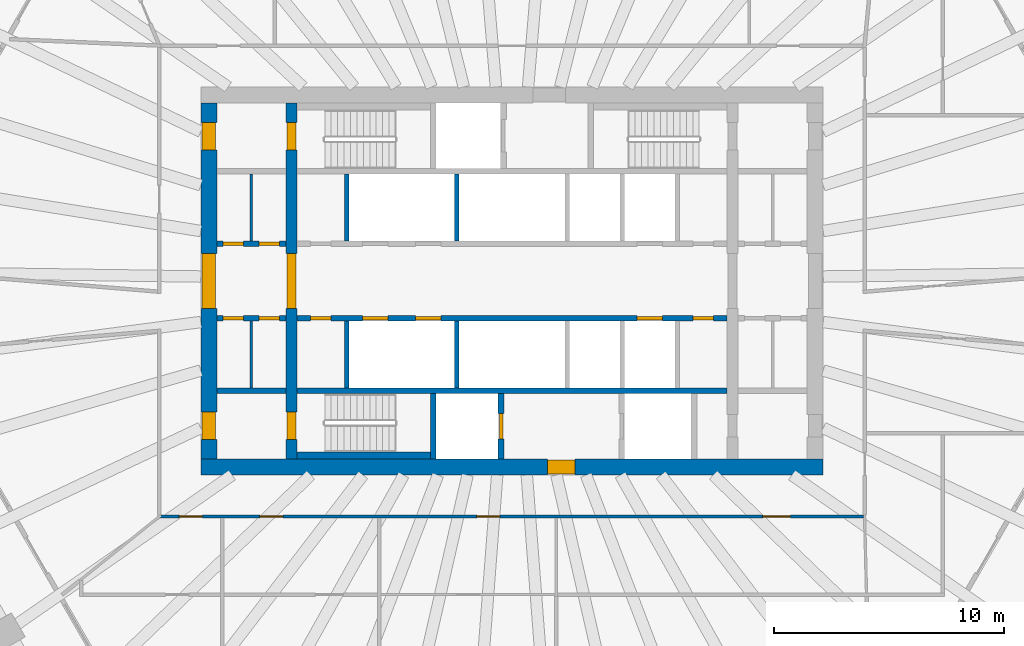
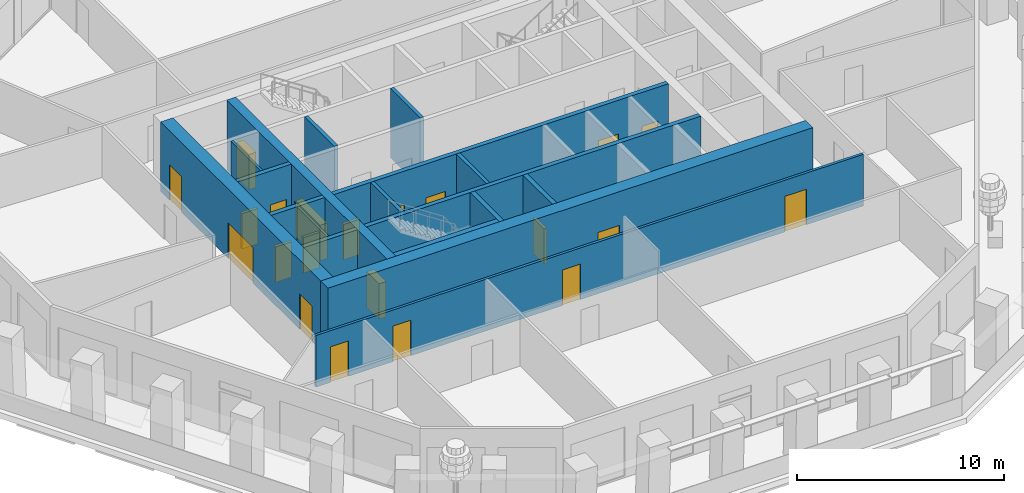
# One storey, part 4 of 12: 21 doors, 18 walls, 21 openings.
"""IFC4 building model written with IfcOpenShell, lengths in metres."""

from ifc_helpers import new_model, si_unit, direction, frame, frame_2d, origin, place, context, subcontext, project, spatial, rectangle, extrude, material, layer, layer_set, type_object, element, fill, save


model = new_model("IFC4")

# Units and contexts
model_context = context("Model", 3, precision=1e-05, world=origin(), true_north=direction((0.0, 1.0)))
body_context = subcontext(model_context, "Body", "Model", "MODEL_VIEW")
ifc_project = project(units=[si_unit("LENGTHUNIT", "METRE"), si_unit("AREAUNIT", "SQUARE_METRE"), si_unit("VOLUMEUNIT", "CUBIC_METRE"), si_unit("PLANEANGLEUNIT", "RADIAN"), si_unit("MASSUNIT", "GRAM", prefix="KILO")], contexts=[model_context])

# Site, building, storey
site_placement = place(None, origin())
site = spatial("IfcSite", under=ifc_project, at=site_placement, CompositionType="ELEMENT")
building_placement = place(site_placement, origin())
building = spatial("IfcBuilding", under=site, at=building_placement, Name="Frailejon Research Tower", CompositionType="ELEMENT")
storey_placement = place(building_placement, frame((0.0, 0.0, 158.39990234375)))
storey = spatial("IfcBuildingStorey", under=building, at=storey_placement, Name="L34", CompositionType="ELEMENT", Elevation=158.39990234375)

# Walls
ifc_material_1 = material(Name="Plasterboard on steel studs", Category="steel")
ifc_layer_1 = layer(ifc_material_1, 0.125)
ifc_layer_set_1 = layer_set([ifc_layer_1], Name="Core partition 125")
wall_type_1 = type_object("IfcWallType", Name="Core partition 125", PredefinedType="PARTITIONING", material=ifc_layer_set_1)
for number, where, z_axis, x_axis, name in (
    (1, (-11.35009765625, 1.75, 0.0), (0.0, 0.0, 1.0), (0.0, 1.0, 0.0), "Core partition"),
    (2, (-11.35009765625, -4.64990234375, 0.0), (0.0, 0.0, 1.0), (0.0, 1.0, 0.0), "Core partition"),
):
    element("IfcWall", number, at=place(storey_placement, frame(where, z_axis=z_axis, x_axis=x_axis)), inside=storey, type_object=wall_type_1, Name=name, PredefinedType="PARTITIONING", context=body_context, shape_type="SweptSolid", body=[
        extrude(rectangle(XDim=2.89990234375, YDim=0.125, at=frame_2d((1.449951171875, 0.0))), origin(), (0.0, 0.0, 1.0), 4.10009765625),
    ])

# Wall, openings, doors
ifc_material_2 = material(Name="Concrete C60/75", Category="concrete")
ifc_layer_2 = layer(ifc_material_2, 0.5)
ifc_layer_set_2 = layer_set([ifc_layer_2], Name="Core shear wall 500 C60/75")
wall_type_2 = type_object("IfcWallType", Name="Core shear wall 500 C60/75", PredefinedType="SHEAR", material=ifc_layer_set_2)
wall_1_placement = place(storey_placement, frame((-9.60009765625, -7.75, 0.0), z_axis=(0.0, 0.0, 1.0), x_axis=(0.0, 1.0, 0.0)))
wall_1 = element("IfcWall", 3, at=wall_1_placement, inside=storey, type_object=wall_type_2, Name="Core shear wall", PredefinedType="SHEAR", context=body_context, shape_type="SweptSolid", body=[
    extrude(rectangle(XDim=15.5, YDim=0.5, at=frame_2d((7.75, 0.0))), origin(), (0.0, 0.0, 1.0), 4.10009765625),
])
opening_1_placement = place(wall_1_placement, frame((6.550048828125, 0.0, 0.0)))
opening_1 = element("IfcOpeningElement", 4, at=opening_1_placement, cuts=wall_1, Name="Opening D2", PredefinedType="OPENING", context=body_context, shape_type="SweptSolid", body=[
    extrude(rectangle(XDim=2.39990234375, YDim=2.10009765625, at=frame_2d((1.199951171875, 1.050048828125))), frame((0.0, 0.260009765625, 0.0), z_axis=(0.0, -1.0, 0.0), x_axis=(1.0, 0.0, 0.0)), (0.0, 0.0, 1.0), 0.52001953125),
])
opening_2_placement = place(wall_1_placement, frame((13.449951171875, 0.0, 0.0)))
opening_2 = element("IfcOpeningElement", 5, at=opening_2_placement, cuts=wall_1, Name="Opening D1", PredefinedType="OPENING", context=body_context, shape_type="SweptSolid", body=[
    extrude(rectangle(XDim=1.199951171875, YDim=2.10009765625, at=frame_2d((0.60009765625, 1.050048828125))), frame((0.0, 0.260009765625, 0.0), z_axis=(0.0, -1.0, 0.0), x_axis=(1.0, 0.0, 0.0)), (0.0, 0.0, 1.0), 0.52001953125),
])
opening_3_placement = place(wall_1_placement, frame((0.85009765625, 0.0, 0.0)))
opening_3 = element("IfcOpeningElement", 6, at=opening_3_placement, cuts=wall_1, Name="Opening D1", PredefinedType="OPENING", context=body_context, shape_type="SweptSolid", body=[
    extrude(rectangle(XDim=1.199951171875, YDim=2.10009765625, at=frame_2d((0.60009765625, 1.050048828125))), frame((0.0, 0.260009765625, 0.0), z_axis=(0.0, -1.0, 0.0), x_axis=(1.0, 0.0, 0.0)), (0.0, 0.0, 1.0), 0.52001953125),
])
ifc_material_3 = material(Name="Steel", Category="steel")
door_type_1 = type_object("IfcDoorType", Name="Lobby double door", OperationType="DOUBLE_DOOR_SINGLE_SWING", PredefinedType="DOOR", material=ifc_material_3)
door_1_placement = place(opening_1_placement, origin())
door_1 = element("IfcDoor", 7, at=door_1_placement, inside=storey, type_object=door_type_1, Name="Lobby door", OperationType="DOUBLE_DOOR_SINGLE_SWING", OverallHeight=2.10009765625, OverallWidth=2.39990234375, PredefinedType="DOOR", context=body_context, shape_type="SweptSolid", body=[
    extrude(rectangle(XDim=2.39990234375, YDim=2.10009765625, at=frame_2d((1.199951171875, 1.050048828125))), frame((0.0, 0.199951171875, 0.0), z_axis=(0.0, -1.0, 0.0), x_axis=(1.0, 0.0, 0.0)), (0.0, 0.0, 1.0), 0.39990234375),
])
fill(opening_1, door_1)
ifc_material_4 = material(Name="Steel", Category="steel")
door_type_2 = type_object("IfcDoorType", Name="Stair door", OperationType="SINGLE_SWING_LEFT", PredefinedType="DOOR", material=ifc_material_4)
door_2_placement = place(opening_2_placement, origin())
door_2 = element("IfcDoor", 8, at=door_2_placement, inside=storey, type_object=door_type_2, Name="Stair door ST1", OperationType="SINGLE_SWING_LEFT", OverallHeight=2.10009765625, OverallWidth=1.199951171875, PredefinedType="DOOR", context=body_context, shape_type="SweptSolid", body=[
    extrude(rectangle(XDim=1.199951171875, YDim=2.10009765625, at=frame_2d((0.60009765625, 1.050048828125))), frame((0.0, 0.199951171875, 0.0), z_axis=(0.0, -1.0, 0.0), x_axis=(1.0, 0.0, 0.0)), (0.0, 0.0, 1.0), 0.39990234375),
])
fill(opening_2, door_2)
door_3_placement = place(opening_3_placement, origin())
door_3 = element("IfcDoor", 9, at=door_3_placement, inside=storey, type_object=door_type_2, Name="Stair door ST2", OperationType="SINGLE_SWING_LEFT", OverallHeight=2.10009765625, OverallWidth=1.199951171875, PredefinedType="DOOR", context=body_context, shape_type="SweptSolid", body=[
    extrude(rectangle(XDim=1.199951171875, YDim=2.10009765625, at=frame_2d((0.60009765625, 1.050048828125))), frame((0.0, 0.199951171875, 0.0), z_axis=(0.0, -1.0, 0.0), x_axis=(1.0, 0.0, 0.0)), (0.0, 0.0, 1.0), 0.39990234375),
])
fill(opening_3, door_3)

# Wall, opening, door
ifc_material_5 = material(Name="Concrete C60/75", Category="concrete")
ifc_layer_3 = layer(ifc_material_5, 0.699951171875)
ifc_layer_set_3 = layer_set([ifc_layer_3], Name="Core shear wall 700 C60/75")
wall_type_3 = type_object("IfcWallType", Name="Core shear wall 700 C60/75", PredefinedType="SHEAR", material=ifc_layer_set_3)
wall_2_placement = place(storey_placement, frame((-13.550048828125, -8.10009765625, 0.0), z_axis=(0.0, 0.0, 1.0), x_axis=(1.0, 0.0, 0.0)))
wall_2 = element("IfcWall", 10, at=wall_2_placement, inside=storey, type_object=wall_type_3, Name="Core shear wall", PredefinedType="SHEAR", context=body_context, shape_type="SweptSolid", body=[
    extrude(rectangle(XDim=27.10009765625, YDim=0.699951171875, at=frame_2d((13.550048828125, 0.0))), origin(), (0.0, 0.0, 1.0), 4.10009765625),
])
opening_4_placement = place(wall_2_placement, frame((15.10009765625, 0.0, 0.0)))
opening_4 = element("IfcOpeningElement", 11, at=opening_4_placement, cuts=wall_2, Name="Opening D3", PredefinedType="OPENING", context=body_context, shape_type="SweptSolid", body=[
    extrude(rectangle(XDim=1.199951171875, YDim=2.10009765625, at=frame_2d((0.60009765625, 1.050048828125))), frame((0.0, 0.35986328125, 0.0), z_axis=(0.0, -1.0, 0.0), x_axis=(1.0, 0.0, 0.0)), (0.0, 0.0, 1.0), 0.719970703125),
])
ifc_material_6 = material(Name="Steel", Category="steel")
door_type_3 = type_object("IfcDoorType", Name="Firefighting lobby door", OperationType="SINGLE_SWING_LEFT", PredefinedType="DOOR", material=ifc_material_6)
door_4_placement = place(opening_4_placement, origin())
door_4 = element("IfcDoor", 12, at=door_4_placement, inside=storey, type_object=door_type_3, Name="Firefighting lobby door", OperationType="SINGLE_SWING_LEFT", OverallHeight=2.10009765625, OverallWidth=1.199951171875, PredefinedType="DOOR", context=body_context, shape_type="SweptSolid", body=[
    extrude(rectangle(XDim=1.199951171875, YDim=2.10009765625, at=frame_2d((0.60009765625, 1.050048828125))), frame((0.0, 0.300048828125, 0.0), z_axis=(0.0, -1.0, 0.0), x_axis=(1.0, 0.0, 0.0)), (0.0, 0.0, 1.0), 0.60009765625),
])
fill(opening_4, door_4)

# Wall, openings, doors
wall_3_placement = place(storey_placement, frame((-13.199951171875, -7.75, 0.0), z_axis=(0.0, 0.0, 1.0), x_axis=(0.0, 1.0, 0.0)))
wall_3 = element("IfcWall", 13, at=wall_3_placement, inside=storey, type_object=wall_type_3, Name="Core shear wall", PredefinedType="SHEAR", context=body_context, shape_type="SweptSolid", body=[
    extrude(rectangle(XDim=15.5, YDim=0.699951171875, at=frame_2d((7.75, 0.0))), origin(), (0.0, 0.0, 1.0), 4.10009765625),
])
opening_5_placement = place(wall_3_placement, frame((6.550048828125, 0.0, 0.0)))
opening_5 = element("IfcOpeningElement", 14, at=opening_5_placement, cuts=wall_3, Name="Opening D2", PredefinedType="OPENING", context=body_context, shape_type="SweptSolid", body=[
    extrude(rectangle(XDim=2.39990234375, YDim=2.10009765625, at=frame_2d((1.199951171875, 1.050048828125))), frame((0.0, 0.35986328125, 0.0), z_axis=(0.0, -1.0, 0.0), x_axis=(1.0, 0.0, 0.0)), (0.0, 0.0, 1.0), 0.719970703125),
])
opening_6_placement = place(wall_3_placement, frame((13.449951171875, 0.0, 0.0)))
opening_6 = element("IfcOpeningElement", 15, at=opening_6_placement, cuts=wall_3, Name="Opening D7", PredefinedType="OPENING", context=body_context, shape_type="SweptSolid", body=[
    extrude(rectangle(XDim=1.199951171875, YDim=2.10009765625, at=frame_2d((0.60009765625, 1.050048828125))), frame((0.0, 0.35986328125, 0.0), z_axis=(0.0, -1.0, 0.0), x_axis=(1.0, 0.0, 0.0)), (0.0, 0.0, 1.0), 0.719970703125),
])
opening_7_placement = place(wall_3_placement, frame((0.85009765625, 0.0, 0.0)))
opening_7 = element("IfcOpeningElement", 16, at=opening_7_placement, cuts=wall_3, Name="Opening D7", PredefinedType="OPENING", context=body_context, shape_type="SweptSolid", body=[
    extrude(rectangle(XDim=1.199951171875, YDim=2.10009765625, at=frame_2d((0.60009765625, 1.050048828125))), frame((0.0, 0.35986328125, 0.0), z_axis=(0.0, -1.0, 0.0), x_axis=(1.0, 0.0, 0.0)), (0.0, 0.0, 1.0), 0.719970703125),
])
door_5_placement = place(opening_5_placement, origin())
door_5 = element("IfcDoor", 17, at=door_5_placement, inside=storey, type_object=door_type_1, Name="Lobby door", OperationType="DOUBLE_DOOR_SINGLE_SWING", OverallHeight=2.10009765625, OverallWidth=2.39990234375, PredefinedType="DOOR", context=body_context, shape_type="SweptSolid", body=[
    extrude(rectangle(XDim=2.39990234375, YDim=2.10009765625, at=frame_2d((1.199951171875, 1.050048828125))), frame((0.0, 0.300048828125, 0.0), z_axis=(0.0, -1.0, 0.0), x_axis=(1.0, 0.0, 0.0)), (0.0, 0.0, 1.0), 0.60009765625),
])
fill(opening_5, door_5)
ifc_material_7 = material(Name="Steel", Category="steel")
door_type_4 = type_object("IfcDoorType", Name="Stair exit door", OperationType="SINGLE_SWING_LEFT", PredefinedType="DOOR", material=ifc_material_7)
door_6_placement = place(opening_6_placement, origin())
door_6 = element("IfcDoor", 18, at=door_6_placement, inside=storey, type_object=door_type_4, Name="Stair exit door ST1", OperationType="SINGLE_SWING_RIGHT", OverallHeight=2.10009765625, OverallWidth=1.199951171875, PredefinedType="DOOR", context=body_context, shape_type="SweptSolid", body=[
    extrude(rectangle(XDim=1.199951171875, YDim=2.10009765625, at=frame_2d((0.60009765625, 1.050048828125))), frame((0.0, 0.300048828125, 0.0), z_axis=(0.0, -1.0, 0.0), x_axis=(1.0, 0.0, 0.0)), (0.0, 0.0, 1.0), 0.60009765625),
])
fill(opening_6, door_6)
door_7_placement = place(opening_7_placement, origin())
door_7 = element("IfcDoor", 19, at=door_7_placement, inside=storey, type_object=door_type_4, Name="Stair exit door ST2", OperationType="SINGLE_SWING_RIGHT", OverallHeight=2.10009765625, OverallWidth=1.199951171875, PredefinedType="DOOR", context=body_context, shape_type="SweptSolid", body=[
    extrude(rectangle(XDim=1.199951171875, YDim=2.10009765625, at=frame_2d((0.60009765625, 1.050048828125))), frame((0.0, 0.300048828125, 0.0), z_axis=(0.0, -1.0, 0.0), x_axis=(1.0, 0.0, 0.0)), (0.0, 0.0, 1.0), 0.60009765625),
])
fill(opening_7, door_7)

ifc_material_8 = material(Name="Gypsum board and masonry partition", Category="masonry")
ifc_layer_4 = layer(ifc_material_8, 0.14990234375)
ifc_layer_set_4 = layer_set([ifc_layer_4], Name="Corridor wall EI 60, gypsum on steel studs 150")
wall_type_4 = type_object("IfcWallType", Name="Corridor wall EI 60, gypsum on steel studs 150", PredefinedType="PARTITIONING", material=ifc_layer_set_4)
wall_4_placement = place(storey_placement, frame((-15.300048828125, -10.25, 0.0), z_axis=(0.0, 0.0, 1.0), x_axis=(1.0, 0.0, 0.0)))
wall_4 = element("IfcWall", 20, at=wall_4_placement, inside=storey, type_object=wall_type_4, Name="T:IW:L34:008", PredefinedType="PARTITIONING", context=body_context, shape_type="SweptSolid", body=[
    extrude(rectangle(XDim=30.60009765625, YDim=0.14990234375, at=frame_2d((15.300048828125, 0.0))), origin(), (0.0, 0.0, 1.0), 3.050048828125),
])
opening_8_placement = place(wall_4_placement, frame((0.81640625, 0.0, 0.0)))
opening_8 = element("IfcOpeningElement", 21, at=opening_8_placement, cuts=wall_4, Name="Opening D1746", PredefinedType="OPENING", context=body_context, shape_type="SweptSolid", body=[
    extrude(rectangle(XDim=1.0, YDim=2.10009765625, at=frame_2d((0.5, 1.050048828125))), frame((0.0, 0.0849609375, 0.0), z_axis=(0.0, -1.0, 0.0), x_axis=(1.0, 0.0, 0.0)), (0.0, 0.0, 1.0), 0.169921875),
])
opening_9_placement = place(wall_4_placement, frame((4.31982421875, 0.0, 0.0)))
opening_9 = element("IfcOpeningElement", 22, at=opening_9_placement, cuts=wall_4, Name="Opening D1748", PredefinedType="OPENING", context=body_context, shape_type="SweptSolid", body=[
    extrude(rectangle(XDim=1.0, YDim=2.10009765625, at=frame_2d((0.5, 1.050048828125))), frame((0.0, 0.0849609375, 0.0), z_axis=(0.0, -1.0, 0.0), x_axis=(1.0, 0.0, 0.0)), (0.0, 0.0, 1.0), 0.169921875),
])
opening_10_placement = place(wall_4_placement, frame((13.775634765625, 0.0, 0.0)))
opening_10 = element("IfcOpeningElement", 23, at=opening_10_placement, cuts=wall_4, Name="Opening D1750", PredefinedType="OPENING", context=body_context, shape_type="SweptSolid", body=[
    extrude(rectangle(XDim=1.0, YDim=2.10009765625, at=frame_2d((0.5, 1.050048828125))), frame((0.0, 0.0849609375, 0.0), z_axis=(0.0, -1.0, 0.0), x_axis=(1.0, 0.0, 0.0)), (0.0, 0.0, 1.0), 0.169921875),
])
opening_11_placement = place(wall_4_placement, frame((26.21826171875, 0.0, 0.0)))
opening_11 = element("IfcOpeningElement", 24, at=opening_11_placement, cuts=wall_4, Name="Opening D1753", PredefinedType="OPENING", context=body_context, shape_type="SweptSolid", body=[
    extrude(rectangle(XDim=1.199951171875, YDim=2.10009765625, at=frame_2d((0.60009765625, 1.050048828125))), frame((0.0, 0.0849609375, 0.0), z_axis=(0.0, -1.0, 0.0), x_axis=(1.0, 0.0, 0.0)), (0.0, 0.0, 1.0), 0.169921875),
])
ifc_material_9 = material(Name="Timber door leaf", Category="wood")
door_type_5 = type_object("IfcDoorType", Name="Door laboratory, timber, vision panel 1000", OperationType="NOTDEFINED", PredefinedType="DOOR", material=ifc_material_9)
door_8_placement = place(opening_9_placement, origin())
door_8 = element("IfcDoor", 25, at=door_8_placement, inside=storey, type_object=door_type_5, Name="D1748", OperationType="SINGLE_SWING_RIGHT", OverallHeight=2.10009765625, OverallWidth=1.0, PredefinedType="DOOR", context=body_context, shape_type="SweptSolid", body=[
    extrude(rectangle(XDim=1.0, YDim=2.10009765625, at=frame_2d((0.5, 1.050048828125))), frame((0.0, 0.02490234375, 0.0), z_axis=(0.0, -1.0, 0.0), x_axis=(1.0, 0.0, 0.0)), (0.0, 0.0, 1.0), 0.050048828125),
])
fill(opening_9, door_8)
ifc_material_10 = material(Name="Timber door leaf", Category="wood")
door_type_6 = type_object("IfcDoorType", Name="Door single leaf, timber, steel frame 1000", OperationType="NOTDEFINED", PredefinedType="DOOR", material=ifc_material_10)
door_9_placement = place(opening_8_placement, origin())
door_9 = element("IfcDoor", 26, at=door_9_placement, inside=storey, type_object=door_type_6, Name="D1746", OperationType="SINGLE_SWING_LEFT", OverallHeight=2.10009765625, OverallWidth=1.0, PredefinedType="DOOR", context=body_context, shape_type="SweptSolid", body=[
    extrude(rectangle(XDim=1.0, YDim=2.10009765625, at=frame_2d((0.5, 1.050048828125))), frame((0.0, 0.02490234375, 0.0), z_axis=(0.0, -1.0, 0.0), x_axis=(1.0, 0.0, 0.0)), (0.0, 0.0, 1.0), 0.050048828125),
])
fill(opening_8, door_9)
door_10_placement = place(opening_10_placement, origin())
door_10 = element("IfcDoor", 27, at=door_10_placement, inside=storey, type_object=door_type_6, Name="D1750", OperationType="SINGLE_SWING_RIGHT", OverallHeight=2.10009765625, OverallWidth=1.0, PredefinedType="DOOR", context=body_context, shape_type="SweptSolid", body=[
    extrude(rectangle(XDim=1.0, YDim=2.10009765625, at=frame_2d((0.5, 1.050048828125))), frame((0.0, 0.02490234375, 0.0), z_axis=(0.0, -1.0, 0.0), x_axis=(1.0, 0.0, 0.0)), (0.0, 0.0, 1.0), 0.050048828125),
])
fill(opening_10, door_10)
ifc_material_11 = material(Name="Timber door leaf", Category="wood")
door_type_7 = type_object("IfcDoorType", Name="Door single leaf, timber, steel frame 1200", OperationType="NOTDEFINED", PredefinedType="DOOR", material=ifc_material_11)
door_11_placement = place(opening_11_placement, origin())
door_11 = element("IfcDoor", 28, at=door_11_placement, inside=storey, type_object=door_type_7, Name="D1753", OperationType="DOUBLE_DOOR_SINGLE_SWING", OverallHeight=2.10009765625, OverallWidth=1.199951171875, PredefinedType="DOOR", context=body_context, shape_type="SweptSolid", body=[
    extrude(rectangle(XDim=1.199951171875, YDim=2.10009765625, at=frame_2d((0.60009765625, 1.050048828125))), frame((0.0, 0.02490234375, 0.0), z_axis=(0.0, -1.0, 0.0), x_axis=(1.0, 0.0, 0.0)), (0.0, 0.0, 1.0), 0.050048828125),
])
fill(opening_11, door_11)

# Walls
ifc_material_12 = material(Name="Concrete C60/75", Category="concrete")
ifc_layer_5 = layer(ifc_material_12, 0.199951171875)
ifc_layer_set_5 = layer_set([ifc_layer_5], Name="Shaft wall 200 C60/75")
wall_type_5 = type_object("IfcWallType", Name="Shaft wall 200 C60/75", PredefinedType="SOLIDWALL", material=ifc_layer_set_5)
for number, where, z_axis, x_axis, name in (
    (29, (-7.199951171875, 1.75, 0.0), (0.0, 0.0, 1.0), (0.0, 1.0, 0.0), "Shaft wall"),
    (30, (-2.39990234375, 1.75, 0.0), (0.0, 0.0, 1.0), (0.0, 1.0, 0.0), "Shaft wall"),
    (31, (-7.199951171875, -4.64990234375, 0.0), (0.0, 0.0, 1.0), (0.0, 1.0, 0.0), "Shaft wall"),
    (32, (-2.39990234375, -4.64990234375, 0.0), (0.0, 0.0, 1.0), (0.0, 1.0, 0.0), "Shaft wall"),
):
    element("IfcWall", number, at=place(storey_placement, frame(where, z_axis=z_axis, x_axis=x_axis)), inside=storey, type_object=wall_type_5, Name=name, PredefinedType="SOLIDWALL", context=body_context, shape_type="SweptSolid", body=[
        extrude(rectangle(XDim=2.89990234375, YDim=0.199951171875, at=frame_2d((1.449951171875, 0.0))), origin(), (0.0, 0.0, 1.0), 4.10009765625),
    ])

# Wall, openings, doors
ifc_material_13 = material(Name="Concrete C60/75", Category="concrete")
ifc_layer_6 = layer(ifc_material_13, 0.25)
ifc_layer_set_6 = layer_set([ifc_layer_6], Name="Shaft wall 250 C60/75")
wall_type_6 = type_object("IfcWallType", Name="Shaft wall 250 C60/75", PredefinedType="SOLIDWALL", material=ifc_layer_set_6)
wall_5_placement = place(storey_placement, frame((-12.85009765625, 1.625, 0.0), z_axis=(0.0, 0.0, 1.0), x_axis=(1.0, 0.0, 0.0)))
wall_5 = element("IfcWall", 33, at=wall_5_placement, inside=storey, type_object=wall_type_6, Name="Shaft wall", PredefinedType="SOLIDWALL", context=body_context, shape_type="SweptSolid", body=[
    extrude(rectangle(XDim=3.0, YDim=0.25, at=frame_2d((1.5, 0.0))), origin(), (0.0, 0.0, 1.0), 4.10009765625),
])
opening_12_placement = place(wall_5_placement, frame((0.268798828125, 0.0, 0.0)))
opening_12 = element("IfcOpeningElement", 34, at=opening_12_placement, cuts=wall_5, Name="Opening D8", PredefinedType="OPENING", context=body_context, shape_type="SweptSolid", body=[
    extrude(rectangle(XDim=0.89990234375, YDim=2.10009765625, at=frame_2d((0.449951171875, 1.050048828125))), frame((0.0, 0.135009765625, 0.0), z_axis=(0.0, -1.0, 0.0), x_axis=(1.0, 0.0, 0.0)), (0.0, 0.0, 1.0), 0.27001953125),
])
opening_13_placement = place(wall_5_placement, frame((1.831298828125, 0.0, 0.0)))
opening_13 = element("IfcOpeningElement", 35, at=opening_13_placement, cuts=wall_5, Name="Opening D8", PredefinedType="OPENING", context=body_context, shape_type="SweptSolid", body=[
    extrude(rectangle(XDim=0.89990234375, YDim=2.10009765625, at=frame_2d((0.449951171875, 1.050048828125))), frame((0.0, 0.135009765625, 0.0), z_axis=(0.0, -1.0, 0.0), x_axis=(1.0, 0.0, 0.0)), (0.0, 0.0, 1.0), 0.27001953125),
])
ifc_material_14 = material(Name="Steel", Category="steel")
door_type_8 = type_object("IfcDoorType", Name="Core room door", OperationType="SINGLE_SWING_LEFT", PredefinedType="DOOR", material=ifc_material_14)
door_12_placement = place(opening_12_placement, origin())
door_12 = element("IfcDoor", 36, at=door_12_placement, inside=storey, type_object=door_type_8, Name="Room door", OperationType="SINGLE_SWING_LEFT", OverallHeight=2.10009765625, OverallWidth=0.89990234375, PredefinedType="DOOR", context=body_context, shape_type="SweptSolid", body=[
    extrude(rectangle(XDim=0.89990234375, YDim=2.10009765625, at=frame_2d((0.449951171875, 1.050048828125))), frame((0.0, 0.074951171875, 0.0), z_axis=(0.0, -1.0, 0.0), x_axis=(1.0, 0.0, 0.0)), (0.0, 0.0, 1.0), 0.14990234375),
])
fill(opening_12, door_12)
door_13_placement = place(opening_13_placement, origin())
door_13 = element("IfcDoor", 37, at=door_13_placement, inside=storey, type_object=door_type_8, Name="Room door", OperationType="SINGLE_SWING_RIGHT", OverallHeight=2.10009765625, OverallWidth=0.89990234375, PredefinedType="DOOR", context=body_context, shape_type="SweptSolid", body=[
    extrude(rectangle(XDim=0.89990234375, YDim=2.10009765625, at=frame_2d((0.449951171875, 1.050048828125))), frame((0.0, 0.074951171875, 0.0), z_axis=(0.0, -1.0, 0.0), x_axis=(1.0, 0.0, 0.0)), (0.0, 0.0, 1.0), 0.14990234375),
])
fill(opening_13, door_13)

wall_6_placement = place(storey_placement, frame((-12.85009765625, -1.625, 0.0), z_axis=(0.0, 0.0, 1.0), x_axis=(1.0, 0.0, 0.0)))
wall_6 = element("IfcWall", 38, at=wall_6_placement, inside=storey, type_object=wall_type_6, Name="Shaft wall", PredefinedType="SOLIDWALL", context=body_context, shape_type="SweptSolid", body=[
    extrude(rectangle(XDim=3.0, YDim=0.25, at=frame_2d((1.5, 0.0))), origin(), (0.0, 0.0, 1.0), 4.10009765625),
])
opening_14_placement = place(wall_6_placement, frame((0.268798828125, 0.0, 0.0)))
opening_14 = element("IfcOpeningElement", 39, at=opening_14_placement, cuts=wall_6, Name="Opening D8", PredefinedType="OPENING", context=body_context, shape_type="SweptSolid", body=[
    extrude(rectangle(XDim=0.89990234375, YDim=2.10009765625, at=frame_2d((0.449951171875, 1.050048828125))), frame((0.0, 0.135009765625, 0.0), z_axis=(0.0, -1.0, 0.0), x_axis=(1.0, 0.0, 0.0)), (0.0, 0.0, 1.0), 0.27001953125),
])
opening_15_placement = place(wall_6_placement, frame((1.831298828125, 0.0, 0.0)))
opening_15 = element("IfcOpeningElement", 40, at=opening_15_placement, cuts=wall_6, Name="Opening D8", PredefinedType="OPENING", context=body_context, shape_type="SweptSolid", body=[
    extrude(rectangle(XDim=0.89990234375, YDim=2.10009765625, at=frame_2d((0.449951171875, 1.050048828125))), frame((0.0, 0.135009765625, 0.0), z_axis=(0.0, -1.0, 0.0), x_axis=(1.0, 0.0, 0.0)), (0.0, 0.0, 1.0), 0.27001953125),
])
door_14_placement = place(opening_14_placement, origin())
door_14 = element("IfcDoor", 41, at=door_14_placement, inside=storey, type_object=door_type_8, Name="Room door", OperationType="SINGLE_SWING_LEFT", OverallHeight=2.10009765625, OverallWidth=0.89990234375, PredefinedType="DOOR", context=body_context, shape_type="SweptSolid", body=[
    extrude(rectangle(XDim=0.89990234375, YDim=2.10009765625, at=frame_2d((0.449951171875, 1.050048828125))), frame((0.0, 0.074951171875, 0.0), z_axis=(0.0, -1.0, 0.0), x_axis=(1.0, 0.0, 0.0)), (0.0, 0.0, 1.0), 0.14990234375),
])
fill(opening_14, door_14)
door_15_placement = place(opening_15_placement, origin())
door_15 = element("IfcDoor", 42, at=door_15_placement, inside=storey, type_object=door_type_8, Name="Room door", OperationType="SINGLE_SWING_RIGHT", OverallHeight=2.10009765625, OverallWidth=0.89990234375, PredefinedType="DOOR", context=body_context, shape_type="SweptSolid", body=[
    extrude(rectangle(XDim=0.89990234375, YDim=2.10009765625, at=frame_2d((0.449951171875, 1.050048828125))), frame((0.0, 0.074951171875, 0.0), z_axis=(0.0, -1.0, 0.0), x_axis=(1.0, 0.0, 0.0)), (0.0, 0.0, 1.0), 0.14990234375),
])
fill(opening_15, door_15)

wall_7_placement = place(storey_placement, frame((-9.35009765625, -1.625, 0.0), z_axis=(0.0, 0.0, 1.0), x_axis=(1.0, 0.0, 0.0)))
wall_7 = element("IfcWall", 43, at=wall_7_placement, inside=storey, type_object=wall_type_6, Name="Shaft wall", PredefinedType="SOLIDWALL", context=body_context, shape_type="SweptSolid", body=[
    extrude(rectangle(XDim=18.7001953125, YDim=0.25, at=frame_2d((9.35009765625, 0.0))), origin(), (0.0, 0.0, 1.0), 4.10009765625),
])
opening_16_placement = place(wall_7_placement, frame((2.85009765625, 0.0, 0.0)))
opening_16 = element("IfcOpeningElement", 44, at=opening_16_placement, cuts=wall_7, Name="Opening LD", PredefinedType="OPENING", context=body_context, shape_type="SweptSolid", body=[
    extrude(rectangle(XDim=1.10009765625, YDim=2.10009765625, at=frame_2d((0.550048828125, 1.050048828125))), frame((0.0, 0.135009765625, 0.0), z_axis=(0.0, -1.0, 0.0), x_axis=(1.0, 0.0, 0.0)), (0.0, 0.0, 1.0), 0.27001953125),
])
opening_17_placement = place(wall_7_placement, frame((5.14990234375, 0.0, 0.0)))
opening_17 = element("IfcOpeningElement", 45, at=opening_17_placement, cuts=wall_7, Name="Opening LD", PredefinedType="OPENING", context=body_context, shape_type="SweptSolid", body=[
    extrude(rectangle(XDim=1.10009765625, YDim=2.10009765625, at=frame_2d((0.550048828125, 1.050048828125))), frame((0.0, 0.135009765625, 0.0), z_axis=(0.0, -1.0, 0.0), x_axis=(1.0, 0.0, 0.0)), (0.0, 0.0, 1.0), 0.27001953125),
])
opening_18_placement = place(wall_7_placement, frame((14.800048828125, 0.0, 0.0)))
opening_18 = element("IfcOpeningElement", 46, at=opening_18_placement, cuts=wall_7, Name="Opening LD", PredefinedType="OPENING", context=body_context, shape_type="SweptSolid", body=[
    extrude(rectangle(XDim=1.10009765625, YDim=2.10009765625, at=frame_2d((0.550048828125, 1.050048828125))), frame((0.0, 0.135009765625, 0.0), z_axis=(0.0, -1.0, 0.0), x_axis=(1.0, 0.0, 0.0)), (0.0, 0.0, 1.0), 0.27001953125),
])
opening_19_placement = place(wall_7_placement, frame((0.574951171875, 0.0, 0.0)))
opening_19 = element("IfcOpeningElement", 47, at=opening_19_placement, cuts=wall_7, Name="Opening D8", PredefinedType="OPENING", context=body_context, shape_type="SweptSolid", body=[
    extrude(rectangle(XDim=0.89990234375, YDim=2.10009765625, at=frame_2d((0.449951171875, 1.050048828125))), frame((0.0, 0.135009765625, 0.0), z_axis=(0.0, -1.0, 0.0), x_axis=(1.0, 0.0, 0.0)), (0.0, 0.0, 1.0), 0.27001953125),
])
opening_20_placement = place(wall_7_placement, frame((17.22509765625, 0.0, 0.0)))
opening_20 = element("IfcOpeningElement", 48, at=opening_20_placement, cuts=wall_7, Name="Opening D8", PredefinedType="OPENING", context=body_context, shape_type="SweptSolid", body=[
    extrude(rectangle(XDim=0.89990234375, YDim=2.10009765625, at=frame_2d((0.449951171875, 1.050048828125))), frame((0.0, 0.135009765625, 0.0), z_axis=(0.0, -1.0, 0.0), x_axis=(1.0, 0.0, 0.0)), (0.0, 0.0, 1.0), 0.27001953125),
])
door_16_placement = place(opening_19_placement, origin())
door_16 = element("IfcDoor", 49, at=door_16_placement, inside=storey, type_object=door_type_8, Name="Room door", OperationType="SINGLE_SWING_LEFT", OverallHeight=2.10009765625, OverallWidth=0.89990234375, PredefinedType="DOOR", context=body_context, shape_type="SweptSolid", body=[
    extrude(rectangle(XDim=0.89990234375, YDim=2.10009765625, at=frame_2d((0.449951171875, 1.050048828125))), frame((0.0, 0.074951171875, 0.0), z_axis=(0.0, -1.0, 0.0), x_axis=(1.0, 0.0, 0.0)), (0.0, 0.0, 1.0), 0.14990234375),
])
fill(opening_19, door_16)
door_17_placement = place(opening_20_placement, origin())
door_17 = element("IfcDoor", 50, at=door_17_placement, inside=storey, type_object=door_type_8, Name="Room door", OperationType="SINGLE_SWING_RIGHT", OverallHeight=2.10009765625, OverallWidth=0.89990234375, PredefinedType="DOOR", context=body_context, shape_type="SweptSolid", body=[
    extrude(rectangle(XDim=0.89990234375, YDim=2.10009765625, at=frame_2d((0.449951171875, 1.050048828125))), frame((0.0, 0.074951171875, 0.0), z_axis=(0.0, -1.0, 0.0), x_axis=(1.0, 0.0, 0.0)), (0.0, 0.0, 1.0), 0.14990234375),
])
fill(opening_20, door_17)
ifc_material_15 = material(Name="Steel", Category="steel")
door_type_9 = type_object("IfcDoorType", Name="Lift landing door", OperationType="DOUBLE_DOOR_SLIDING", PredefinedType="DOOR", material=ifc_material_15)
door_18_placement = place(opening_16_placement, origin())
door_18 = element("IfcDoor", 51, at=door_18_placement, inside=storey, type_object=door_type_9, Name="Lift landing door", OperationType="DOUBLE_DOOR_SLIDING", OverallHeight=2.10009765625, OverallWidth=1.10009765625, PredefinedType="DOOR", context=body_context, shape_type="SweptSolid", body=[
    extrude(rectangle(XDim=1.10009765625, YDim=2.10009765625, at=frame_2d((0.550048828125, 1.050048828125))), frame((0.0, 0.074951171875, 0.0), z_axis=(0.0, -1.0, 0.0), x_axis=(1.0, 0.0, 0.0)), (0.0, 0.0, 1.0), 0.14990234375),
])
fill(opening_16, door_18)
door_19_placement = place(opening_17_placement, origin())
door_19 = element("IfcDoor", 52, at=door_19_placement, inside=storey, type_object=door_type_9, Name="Lift landing door", OperationType="DOUBLE_DOOR_SLIDING", OverallHeight=2.10009765625, OverallWidth=1.10009765625, PredefinedType="DOOR", context=body_context, shape_type="SweptSolid", body=[
    extrude(rectangle(XDim=1.10009765625, YDim=2.10009765625, at=frame_2d((0.550048828125, 1.050048828125))), frame((0.0, 0.074951171875, 0.0), z_axis=(0.0, -1.0, 0.0), x_axis=(1.0, 0.0, 0.0)), (0.0, 0.0, 1.0), 0.14990234375),
])
fill(opening_17, door_19)
door_20_placement = place(opening_18_placement, origin())
door_20 = element("IfcDoor", 53, at=door_20_placement, inside=storey, type_object=door_type_9, Name="Lift landing door", OperationType="DOUBLE_DOOR_SLIDING", OverallHeight=2.10009765625, OverallWidth=1.10009765625, PredefinedType="DOOR", context=body_context, shape_type="SweptSolid", body=[
    extrude(rectangle(XDim=1.10009765625, YDim=2.10009765625, at=frame_2d((0.550048828125, 1.050048828125))), frame((0.0, 0.074951171875, 0.0), z_axis=(0.0, -1.0, 0.0), x_axis=(1.0, 0.0, 0.0)), (0.0, 0.0, 1.0), 0.14990234375),
])
fill(opening_18, door_20)

# Walls
wall_8_placement = place(storey_placement, frame((-12.85009765625, -4.77490234375, 0.0), z_axis=(0.0, 0.0, 1.0), x_axis=(1.0, 0.0, 0.0)))
element("IfcWall", 54, at=wall_8_placement, inside=storey, type_object=wall_type_6, Name="Shaft wall", PredefinedType="SOLIDWALL", context=body_context, shape_type="SweptSolid", body=[
    extrude(rectangle(XDim=3.0, YDim=0.25, at=frame_2d((1.5, 0.0))), origin(), (0.0, 0.0, 1.0), 4.10009765625),
])
wall_9_placement = place(storey_placement, frame((-9.35009765625, -4.77490234375, 0.0), z_axis=(0.0, 0.0, 1.0), x_axis=(1.0, 0.0, 0.0)))
element("IfcWall", 55, at=wall_9_placement, inside=storey, type_object=wall_type_6, Name="Shaft wall", PredefinedType="SOLIDWALL", context=body_context, shape_type="SweptSolid", body=[
    extrude(rectangle(XDim=18.7001953125, YDim=0.25, at=frame_2d((9.35009765625, 0.0))), origin(), (0.0, 0.0, 1.0), 4.10009765625),
])
wall_10_placement = place(storey_placement, frame((-3.425048828125, -7.75, 0.0), z_axis=(0.0, 0.0, 1.0), x_axis=(0.0, 1.0, 0.0)))
element("IfcWall", 56, at=wall_10_placement, inside=storey, type_object=wall_type_6, Name="Shaft wall", PredefinedType="SOLIDWALL", context=body_context, shape_type="SweptSolid", body=[
    extrude(rectangle(XDim=2.85009765625, YDim=0.25, at=frame_2d((1.425048828125, 0.0))), origin(), (0.0, 0.0, 1.0), 4.10009765625),
])

# Wall, opening, door
wall_11_placement = place(storey_placement, frame((-0.47509765625, -7.75, 0.0), z_axis=(0.0, 0.0, 1.0), x_axis=(0.0, 1.0, 0.0)))
wall_11 = element("IfcWall", 57, at=wall_11_placement, inside=storey, type_object=wall_type_6, Name="Shaft wall", PredefinedType="SOLIDWALL", context=body_context, shape_type="SweptSolid", body=[
    extrude(rectangle(XDim=2.85009765625, YDim=0.25, at=frame_2d((1.425048828125, 0.0))), origin(), (0.0, 0.0, 1.0), 4.10009765625),
])
opening_21_placement = place(wall_11_placement, frame((0.875, 0.0, 0.0)))
opening_21 = element("IfcOpeningElement", 58, at=opening_21_placement, cuts=wall_11, Name="Opening LD", PredefinedType="OPENING", context=body_context, shape_type="SweptSolid", body=[
    extrude(rectangle(XDim=1.10009765625, YDim=2.10009765625, at=frame_2d((0.550048828125, 1.050048828125))), frame((0.0, 0.135009765625, 0.0), z_axis=(0.0, -1.0, 0.0), x_axis=(1.0, 0.0, 0.0)), (0.0, 0.0, 1.0), 0.27001953125),
])
door_21_placement = place(opening_21_placement, origin())
door_21 = element("IfcDoor", 59, at=door_21_placement, inside=storey, type_object=door_type_9, Name="Lift landing door", OperationType="DOUBLE_DOOR_SLIDING", OverallHeight=2.10009765625, OverallWidth=1.10009765625, PredefinedType="DOOR", context=body_context, shape_type="SweptSolid", body=[
    extrude(rectangle(XDim=1.10009765625, YDim=2.10009765625, at=frame_2d((0.550048828125, 1.050048828125))), frame((0.0, 0.074951171875, 0.0), z_axis=(0.0, -1.0, 0.0), x_axis=(1.0, 0.0, 0.0)), (0.0, 0.0, 1.0), 0.14990234375),
])
fill(opening_21, door_21)

# Wall
ifc_material_16 = material(Name="Concrete C60/75", Category="concrete")
ifc_layer_7 = layer(ifc_material_16, 0.300048828125)
ifc_layer_set_7 = layer_set([ifc_layer_7], Name="Shaft wall 300 C60/75")
wall_type_7 = type_object("IfcWallType", Name="Shaft wall 300 C60/75", PredefinedType="SOLIDWALL", material=ifc_layer_set_7)
wall_12_placement = place(storey_placement, frame((-9.35009765625, -7.60009765625, 0.0), z_axis=(0.0, 0.0, 1.0), x_axis=(1.0, 0.0, 0.0)))
element("IfcWall", 60, at=wall_12_placement, inside=storey, type_object=wall_type_7, Name="Shaft wall", PredefinedType="SOLIDWALL", context=body_context, shape_type="SweptSolid", body=[
    extrude(rectangle(XDim=5.800048828125, YDim=0.300048828125, at=frame_2d((2.89990234375, 0.0))), origin(), (0.0, 0.0, 1.0), 4.10009765625),
])

save(model, "model.ifc")
